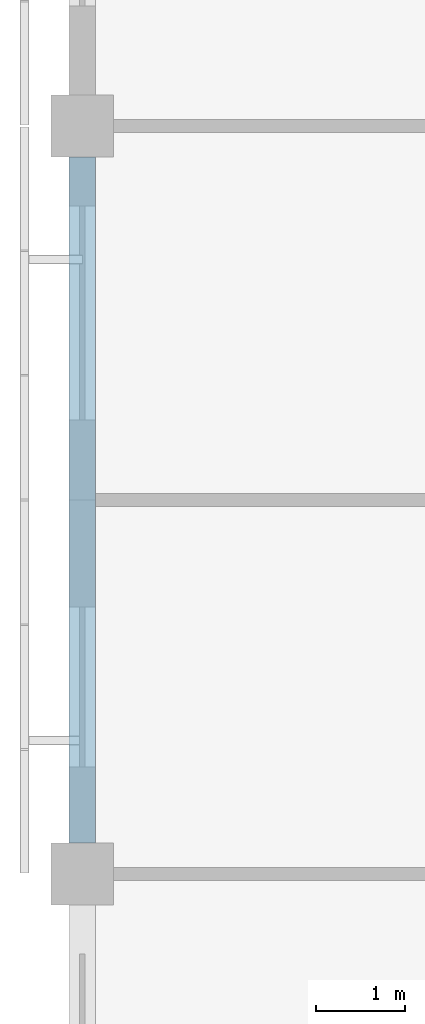
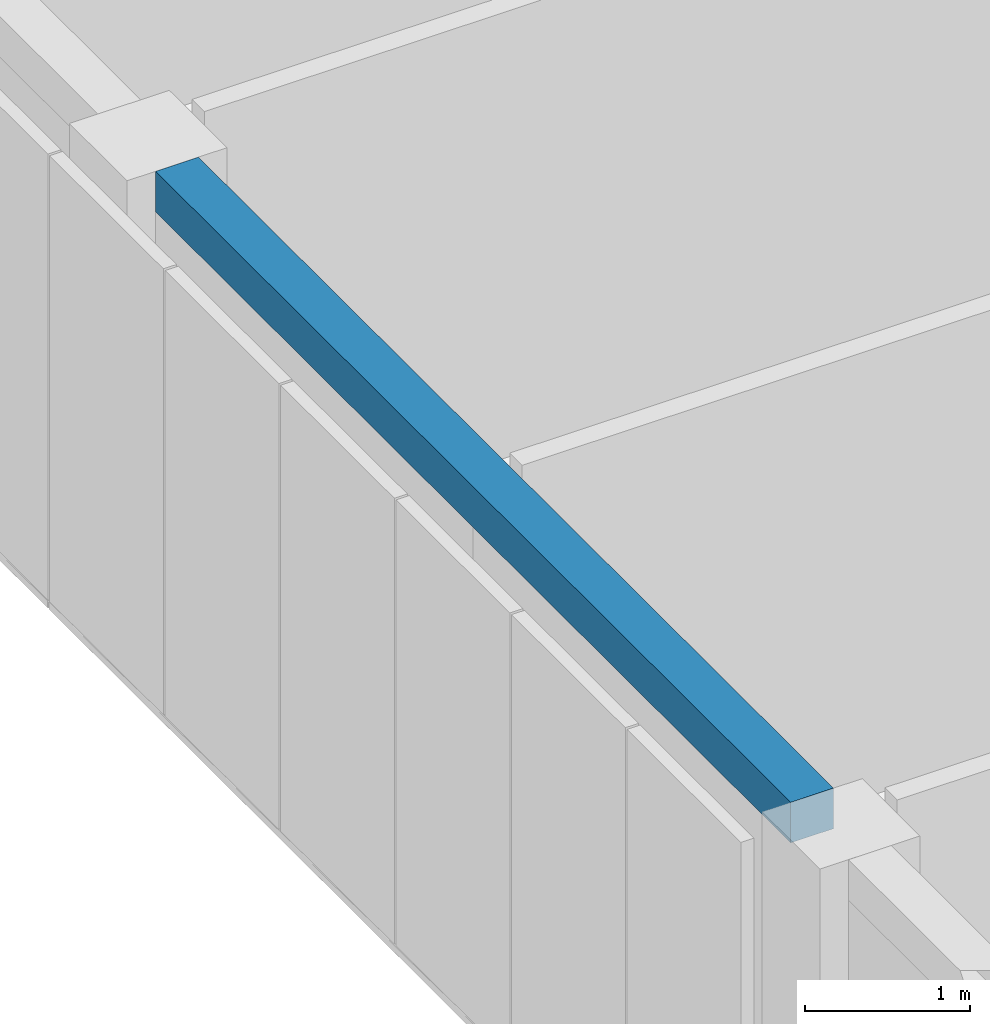
# One storey, part 13 of 48: 1 beam.
"""IFC4 building model written with IfcOpenShell, lengths in metres."""

from ifc_helpers import new_model, si_unit, direction, frame, origin, origin_2d, place, context, subcontext, project, spatial, rectangle, extrude, material, material_profile, profile_set, type_object, element, save


model = new_model("IFC4")

# Units and contexts
model_context = context("Model", 3, precision=1e-05, world=origin(), true_north=direction((0.0, 1.0)))
body_context = subcontext(model_context, "Body", "Model", "MODEL_VIEW")
ifc_project = project(units=[si_unit("LENGTHUNIT", "METRE"), si_unit("AREAUNIT", "SQUARE_METRE"), si_unit("VOLUMEUNIT", "CUBIC_METRE"), si_unit("PLANEANGLEUNIT", "RADIAN"), si_unit("MASSUNIT", "GRAM", prefix="KILO")], contexts=[model_context])

# Site, building, storey
site_placement = place(None, origin())
site = spatial("IfcSite", under=ifc_project, at=site_placement, CompositionType="ELEMENT")
building_placement = place(site_placement, origin())
building = spatial("IfcBuilding", under=site, at=building_placement, Name="Yavir Park General Hospital", CompositionType="ELEMENT")
storey_placement = place(building_placement, frame((0.0, 0.0, 26.10009765625)))
storey = spatial("IfcBuildingStorey", under=building, at=storey_placement, Name="L06", CompositionType="ELEMENT", Elevation=26.10009765625)

# Beam
ifc_material = material(Name="Concrete C35/45", Category="concrete")
ifc_material_profile = material_profile(ifc_material, rectangle(XDim=0.300048828125, YDim=0.300048828125, at=origin_2d()), Name="RC300x300")
ifc_profile_set = profile_set([ifc_material_profile], Name="Concrete C35/45")
beam_type = type_object("IfcBeamType", Name="RC BEAM 300x300 edge beam", PredefinedType="BEAM", material=ifc_profile_set)
beam_placement = place(storey_placement, frame((0.0, 84.35009765625, 3.0498046875), z_axis=(0.0, 1.0, 0.0), x_axis=(-1.0, 0.0, 0.0)))
element("IfcBeam", 1, at=beam_placement, inside=storey, type_object=beam_type, Name="B:EDGE:L06:024", PredefinedType="BEAM", context=body_context, shape_type="SweptSolid", body=[
    extrude(rectangle(XDim=0.300048828125, YDim=0.300048828125, at=origin_2d()), origin(), (0.0, 0.0, 1.0), 7.699951171875),
])

save(model, "model.ifc")
